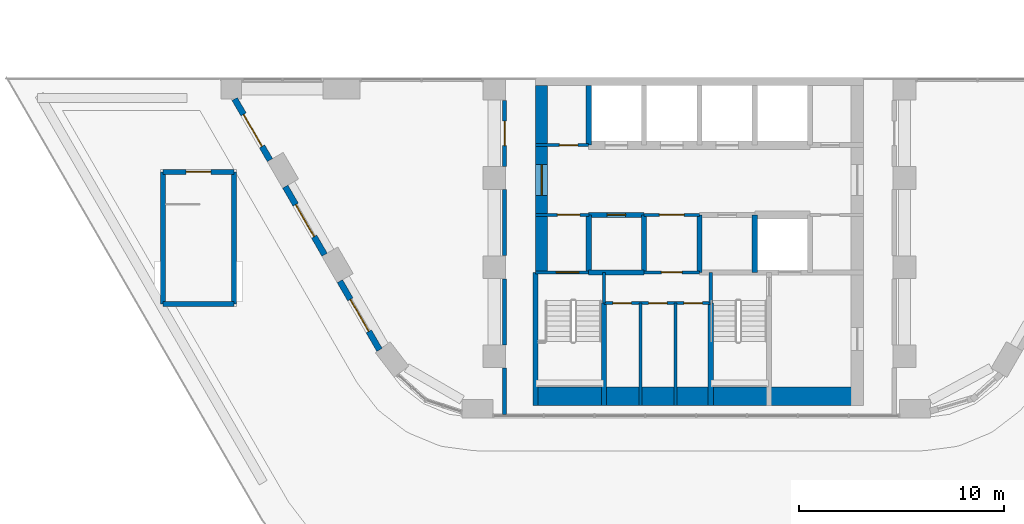
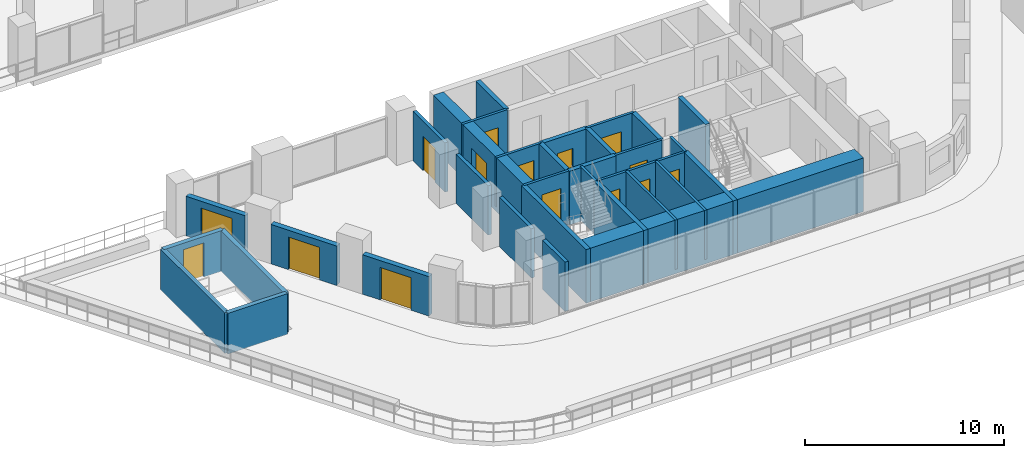
# One storey, part 11 of 24: 33 walls, 15 doors, 15 openings.
"""IFC4 building model written with IfcOpenShell, lengths in metres."""

import ifcopenshell
import ifcopenshell.guid

model = None  # the IFC model being written
_history = None  # IfcOwnerHistory: only IFC2X3 demands one
_inside = {}  # id of a spatial element -> (the spatial element, [elements in it])
_under = {}  # id of a project, library or spatial element -> (it, [spatial elements below it])
_declared = {}  # id of a project -> (the project, [libraries it declares])
_typed = {}  # id of a type object -> (the type object, [elements of that type])
_made_of = {}  # id of a material, layer set ... -> (it, [elements and type objects made of it])


def new_model(schema):
    """Start an empty IFC model of exactly this schema.

    Asked for "IFC4X3", IfcOpenShell would pick the latest addendum, in which some entities
    have other attributes; the version numbers below select the first issue.
    IFC2X3 requires an IfcOwnerHistory on every rooted entity: one is made here for all.
    """
    global model, _history
    if schema == "IFC4X3":
        model = ifcopenshell.file(schema_version=(4, 3, 0, 0))
    else:
        model = ifcopenshell.file(schema=schema)
    _inside.clear()
    _under.clear()
    _declared.clear()
    _typed.clear()
    _made_of.clear()
    _history = None
    if model.schema == "IFC2X3":
        org = make("IfcOrganization", Name="unknown")
        user = make(
            "IfcPersonAndOrganization",
            ThePerson=make("IfcPerson", FamilyName="unknown"),
            TheOrganization=org,
        )
        app = make(
            "IfcApplication",
            ApplicationDeveloper=org,
            Version="unknown",
            ApplicationFullName="unknown",
            ApplicationIdentifier="unknown",
        )
        _history = make(
            "IfcOwnerHistory",
            OwningUser=user,
            OwningApplication=app,
            ChangeAction="ADDED",
            CreationDate=0,
        )
    return model


def make(cls, **values):
    """One entity of the class cls with the attributes given. An attribute that is None is left unset."""
    return model.create_entity(
        cls, **{name: value for name, value in values.items() if value is not None}
    )


def rooted(cls, **values):
    """An entity with a GlobalId (a new one), such as an element, a storey or a relation."""
    return make(cls, GlobalId=ifcopenshell.guid.new(), OwnerHistory=_history, **values)


def si_unit(unit_type, name, prefix=None):
    """IfcSIUnit, for example si_unit("LENGTHUNIT", "METRE", prefix="MILLI")."""
    return make("IfcSIUnit", UnitType=unit_type, Prefix=prefix, Name=name)


def assignment(units):
    """IfcUnitAssignment: the units of a project."""
    return None if units is None else make("IfcUnitAssignment", Units=units)


def point(xyz):
    """IfcCartesianPoint."""
    return None if xyz is None else make("IfcCartesianPoint", Coordinates=xyz)


def direction(xyz):
    """IfcDirection."""
    return None if xyz is None else make("IfcDirection", DirectionRatios=xyz)


def frame(location, z_axis=None, x_axis=None):
    """IfcAxis2Placement3D, a coordinate frame: its origin and axes. An axis left out is left unset."""
    return make(
        "IfcAxis2Placement3D",
        Location=point(location),
        Axis=direction(z_axis),
        RefDirection=direction(x_axis),
    )


def frame_2d(location, x_axis=None):
    """IfcAxis2Placement2D, a coordinate frame in the plane: its origin and x axis."""
    return make(
        "IfcAxis2Placement2D", Location=point(location), RefDirection=direction(x_axis)
    )


def origin():
    """The frame at (0, 0, 0) with its axes left unset."""
    return frame((0.0, 0.0, 0.0))


def place(relative_to, where):
    """IfcLocalPlacement: puts the frame where relative to a parent placement (None: the world)."""
    return make(
        "IfcLocalPlacement", PlacementRelTo=relative_to, RelativePlacement=where
    )


def context(
    kind, dimensions, precision=None, world=None, true_north=None, identifier=None
):
    """IfcGeometricRepresentationContext, for example the 3D "Model" context."""
    return make(
        "IfcGeometricRepresentationContext",
        ContextIdentifier=identifier,
        ContextType=kind,
        CoordinateSpaceDimension=dimensions,
        Precision=precision,
        WorldCoordinateSystem=world,
        TrueNorth=true_north,
    )


def subcontext(parent, identifier, kind, view, scale=None):
    """IfcGeometricRepresentationSubContext, for example "Body" below "Model"."""
    return make(
        "IfcGeometricRepresentationSubContext",
        ContextIdentifier=identifier,
        ContextType=kind,
        ParentContext=parent,
        TargetScale=scale,
        TargetView=view,
    )


def project(units=None, contexts=None):
    """IfcProject with its units and contexts."""
    return rooted(
        "IfcProject",
        Name="project",
        RepresentationContexts=contexts,
        UnitsInContext=assignment(units),
    )


def spatial(cls, under=None, at=None, **own):
    """A site, building, storey or space (cls), placed at a placement, below another one or the project."""
    s = rooted(cls, ObjectPlacement=at, **own)
    if under is not None:
        _under.setdefault(under.id(), (under, []))[1].append(s)
    return s


def profile(cls, at=None, kind="AREA", **sizes):
    """A parametric profile (cls). Its sizes go by their IFC names, for example OverallWidth=200.0."""
    return make(cls, ProfileType=kind, Position=at, **sizes)


def rectangle(**sizes):
    """IfcRectangleProfileDef."""
    return profile("IfcRectangleProfileDef", **sizes)


def extrude(swept, where, along, depth):
    """IfcExtrudedAreaSolid: the profile swept, set in the frame where, extruded along a direction by depth."""
    return make(
        "IfcExtrudedAreaSolid",
        SweptArea=swept,
        Position=where,
        ExtrudedDirection=direction(along),
        Depth=depth,
    )


def shape(context_of_items, identifier, shape_type, items):
    """IfcShapeRepresentation: the items that make up one representation, for example the "Body"."""
    return make(
        "IfcShapeRepresentation",
        ContextOfItems=context_of_items,
        RepresentationIdentifier=identifier,
        RepresentationType=shape_type,
        Items=items,
    )


def material(Name=None, Category=None):
    """IfcMaterial."""
    return make("IfcMaterial", Name=Name, Category=Category)


def layer(
    of_material, thickness, ventilated=None, Name=None, Category=None, Priority=None
):
    """IfcMaterialLayer: one layer of a wall or slab, of a material (None: an air gap)."""
    return make(
        "IfcMaterialLayer",
        Material=of_material,
        LayerThickness=thickness,
        IsVentilated=ventilated,
        Name=Name,
        Category=Category,
        Priority=Priority,
    )


def layer_set(layers, Name=None):
    """IfcMaterialLayerSet."""
    return make("IfcMaterialLayerSet", MaterialLayers=layers, LayerSetName=Name)


def made_of(thing, what):
    """Note that an element or type object is made of a material, layer set ...; save() writes the relation."""
    if what is not None:
        _made_of.setdefault(what.id(), (what, []))[1].append(thing)
    return thing


def type_object(cls, material=None, **own):
    """A type object (cls), such as IfcWallType, which elements share."""
    return made_of(rooted(cls, **own), material)


def element(
    cls,
    number,
    at=None,
    inside=None,
    cuts=None,
    type_object=None,
    material=None,
    context=None,
    identifier="Body",
    shape_type=None,
    held_by="IfcProductDefinitionShape",
    body=None,
    shapes=None,
    **own,
):
    """One element of the class cls, such as IfcWall. Its Tag is "e" and its number.

    at: its placement. inside: the storey or other place that contains it. cuts: it is an
    opening in that element (IfcRelVoidsElement). A single representation is given by context,
    identifier, shape_type and body (its items); several are given by shapes. held_by: the class
    of the entity that holds the representations. save() writes the other relations.
    """
    e = rooted(cls, Tag="e%d" % number, ObjectPlacement=at, **own)
    if body is not None:
        shapes = [shape(context, identifier, shape_type, body)]
    if shapes is not None:
        e.Representation = make(held_by, Representations=shapes)
    if inside is not None:
        _inside.setdefault(inside.id(), (inside, []))[1].append(e)
    if cuts is not None:
        rooted(
            "IfcRelVoidsElement", RelatingBuildingElement=cuts, RelatedOpeningElement=e
        )
    if type_object is not None:
        _typed.setdefault(type_object.id(), (type_object, []))[1].append(e)
    return made_of(e, material)


def fill(opening, filler):
    """IfcRelFillsElement: the door or window that sits in an opening."""
    return rooted(
        "IfcRelFillsElement",
        RelatingOpeningElement=opening,
        RelatedBuildingElement=filler,
    )


def aggregate(whole, parts):
    """IfcRelAggregates: a whole, such as a stair, and the parts it consists of."""
    return rooted("IfcRelAggregates", RelatingObject=whole, RelatedObjects=parts)


def save(model, path):
    """Write the relations noted so far, then the file.

    IfcRelAggregates (storeys below a building ...), IfcRelContainedInSpatialStructure (elements
    in a storey), IfcRelDefinesByType, IfcRelAssociatesMaterial and IfcRelDeclares: one each for
    every whole, place, type object, material and project.
    """
    for whole, parts in _under.values():
        aggregate(whole, parts)
    for where, things in _inside.values():
        rooted(
            "IfcRelContainedInSpatialStructure",
            RelatedElements=things,
            RelatingStructure=where,
        )
    for kind, things in _typed.values():
        rooted("IfcRelDefinesByType", RelatedObjects=things, RelatingType=kind)
    for what, things in _made_of.values():
        rooted("IfcRelAssociatesMaterial", RelatedObjects=things, RelatingMaterial=what)
    for by, libraries in _declared.values():
        rooted("IfcRelDeclares", RelatingContext=by, RelatedDefinitions=libraries)
    model.write(path)


model = new_model("IFC4")

# Units and contexts
model_context = context("Model", 3, precision=1e-05, world=origin(), true_north=direction((0.0, 1.0)))
body_context = subcontext(model_context, "Body", "Model", "MODEL_VIEW")
ifc_project = project(units=[si_unit("LENGTHUNIT", "METRE"), si_unit("AREAUNIT", "SQUARE_METRE"), si_unit("VOLUMEUNIT", "CUBIC_METRE"), si_unit("PLANEANGLEUNIT", "RADIAN"), si_unit("MASSUNIT", "GRAM", prefix="KILO")], contexts=[model_context])

# Site, building, storey
site_placement = place(None, origin())
site = spatial("IfcSite", under=ifc_project, at=site_placement, CompositionType="ELEMENT")
building_placement = place(site_placement, origin())
building = spatial("IfcBuilding", under=site, at=building_placement, Name="Nakaniwa Court", CompositionType="ELEMENT")
storey_placement = place(building_placement, frame((0.0, 0.0, 28.199951171875)))
storey = spatial("IfcBuildingStorey", under=building, at=storey_placement, Name="L06", CompositionType="ELEMENT", Elevation=28.199951171875)

# Walls
ifc_material_1 = material(Name="Acoustic double stud partition")
ifc_layer_1 = layer(ifc_material_1, 0.199951171875)
ifc_layer_set_1 = layer_set([ifc_layer_1], Name="Acoustic double stud partition")
wall_type_1 = type_object("IfcWallType", Name="Acoustic double stud partition 200", PredefinedType="PARTITIONING", material=ifc_layer_set_1)
wall_1_placement = place(storey_placement, frame((70.5, 56.179931640625, 0.0), z_axis=(0.0, 0.0, 1.0), x_axis=(0.0, 1.0, 0.0)))
element("IfcWall", 1, at=wall_1_placement, inside=storey, type_object=wall_type_1, Name="Partition PW-077", PredefinedType="PARTITIONING", context=body_context, shape_type="SweptSolid", body=[
    extrude(rectangle(XDim=2.253173828125, YDim=0.199951171875, at=frame_2d((1.12646484375, 0.0))), origin(), (0.0, 0.0, 1.0), 3.025146484375),
])
for number, where, z_axis, x_axis, name in (
    (2, (70.5, 59.56689453125, 0.0), (0.0, 0.0, 1.0), (0.0, 1.0, 0.0), "Partition PW-078"),
    (3, (70.5, 63.9169921875, 0.0), (0.0, 0.0, 1.0), (0.0, 1.0, 0.0), "Partition PW-079"),
):
    element("IfcWall", number, at=place(storey_placement, frame(where, z_axis=z_axis, x_axis=x_axis)), inside=storey, type_object=wall_type_1, Name=name, PredefinedType="PARTITIONING", context=body_context, shape_type="SweptSolid", body=[
        extrude(rectangle(XDim=3.216064453125, YDim=0.199951171875, at=frame_2d((1.60791015625, 0.0))), origin(), (0.0, 0.0, 1.0), 3.025146484375),
    ])

# Wall, opening, door
wall_2_placement = place(storey_placement, frame((70.5, 68.26708984375, 0.0), z_axis=(0.0, 0.0, 1.0), x_axis=(0.0, 1.0, 0.0)))
wall_2 = element("IfcWall", 4, at=wall_2_placement, inside=storey, type_object=wall_type_1, Name="Partition PW-080", PredefinedType="PARTITIONING", context=body_context, shape_type="SweptSolid", body=[
    extrude(rectangle(XDim=3.2158203125, YDim=0.199951171875, at=frame_2d((1.60791015625, 0.0))), origin(), (0.0, 0.0, 1.0), 3.025146484375),
])
opening_1_placement = place(wall_2_placement, frame((1.008056640625, 0.0, 0.0)))
opening_1 = element("IfcOpeningElement", 5, at=opening_1_placement, cuts=wall_2, Name="Opening D-30-03", PredefinedType="OPENING", context=body_context, shape_type="SweptSolid", body=[
    extrude(rectangle(XDim=1.199951171875, YDim=2.10009765625, at=frame_2d((0.60009765625, 1.050048828125))), frame((0.0, 0.10986328125, 0.0), z_axis=(0.0, -1.0, 0.0), x_axis=(1.0, 0.0, 0.0)), (0.0, 0.0, 1.0), 0.219970703125),
])
ifc_material_2 = material(Name="Solid core timber door set, black veneer", Category="wood")
door_type_1 = type_object("IfcDoorType", Name="Internal door 1200", OperationType="NOTDEFINED", PredefinedType="DOOR", material=ifc_material_2)
door_1_placement = place(opening_1_placement, origin())
door_1 = element("IfcDoor", 6, at=door_1_placement, inside=storey, type_object=door_type_1, Name="Door D-30-03 L06-029", OperationType="SINGLE_SWING_RIGHT", OverallHeight=2.10009765625, OverallWidth=1.199951171875, PredefinedType="DOOR", context=body_context, shape_type="SweptSolid", body=[
    extrude(rectangle(XDim=1.199951171875, YDim=2.10009765625, at=frame_2d((0.60009765625, 1.050048828125))), frame((0.0, 0.02490234375, 0.0), z_axis=(0.0, -1.0, 0.0), x_axis=(1.0, 0.0, 0.0)), (0.0, 0.0, 1.0), 0.050048828125),
])
fill(opening_1, door_1)

ifc_material_3 = material(Name="Charcoal ceramic cladding")
ifc_layer_2 = layer(ifc_material_3, 0.02, Name="Ceramic cladding")
ifc_material_4 = material(Name="Ventilated air cavity")
ifc_layer_3 = layer(ifc_material_4, 0.04, ventilated=True, Name="Ventilated cavity")
ifc_material_5 = material(Name="Mineral wool insulation")
ifc_layer_4 = layer(ifc_material_5, 0.1, Name="Insulation")
ifc_material_6 = material(Name="Cement bonded sheathing board")
ifc_layer_5 = layer(ifc_material_6, 0.012, Name="Sheathing")
ifc_material_7 = material(Name="Cold-formed galvanised stud frame with mineral wool infill")
ifc_layer_6 = layer(ifc_material_7, 0.1, Name="Stud frame")
ifc_material_8 = material(Name="Fire-rated gypsum plasterboard lining")
ifc_layer_7 = layer(ifc_material_8, 0.028, Name="Lining")
ifc_layer_set_2 = layer_set([ifc_layer_2, ifc_layer_3, ifc_layer_4, ifc_layer_5, ifc_layer_6, ifc_layer_7], Name="Charcoal ceramic faced external wall system")
wall_type_2 = type_object("IfcWallType", Name="Black ceramic faced external wall 300", PredefinedType="SOLIDWALL", material=ifc_layer_set_2)
wall_3_placement = place(storey_placement, frame((57.3369140625, 71.553466796875, 0.0), z_axis=(0.0, 0.0, 1.0), x_axis=(0.500035437112, -0.866004943191, 0.0)))
wall_3 = element("IfcWall", 7, at=wall_3_placement, inside=storey, type_object=wall_type_2, Name="L06 deck wall 06", PredefinedType="SOLIDWALL", context=body_context, shape_type="SweptSolid", body=[
    extrude(rectangle(XDim=3.443603515625, YDim=0.300048828125, at=frame_2d((1.7216796875, 0.0))), origin(), (0.0, 0.0, 1.0), 2.425048828125),
])
opening_2_placement = place(wall_3_placement, frame((0.872314453125, 0.0, 0.0)))
opening_2 = element("IfcOpeningElement", 8, at=opening_2_placement, cuts=wall_3, Name="Opening XD9.03", PredefinedType="OPENING", context=body_context, shape_type="SweptSolid", body=[
    extrude(rectangle(XDim=1.800048828125, YDim=2.0, at=frame_2d((0.89990234375, 1.0))), frame((0.0, 0.159912109375, 0.0), z_axis=(0.0, -1.0, 0.0), x_axis=(1.0, 0.0, 0.0)), (0.0, 0.0, 1.0), 0.320068359375),
])
ifc_material_9 = material(Name="Black powder-coated aluminium frame with dark laminated glass", Category="aluminium")
door_type_2 = type_object("IfcDoorType", Name="Deck double door 1800x2000", OperationType="DOUBLE_DOOR_SINGLE_SWING", PredefinedType="DOOR", material=ifc_material_9)
door_2_placement = place(opening_2_placement, frame((1.800048828125, 0.0, 0.0), z_axis=(0.0, 0.0, 1.0), x_axis=(-1.0, 0.0, 0.0)))
door_2 = element("IfcDoor", 9, at=door_2_placement, inside=storey, type_object=door_type_2, Name="L06 deck double door 06", OperationType="DOUBLE_DOOR_SINGLE_SWING", OverallHeight=2.0, OverallWidth=1.800048828125, PredefinedType="DOOR", context=body_context, shape_type="SweptSolid", body=[
    extrude(rectangle(XDim=1.800048828125, YDim=2.0, at=frame_2d((0.89990234375, 1.0))), frame((0.0, 0.02490234375, 0.0), z_axis=(0.0, -1.0, 0.0), x_axis=(1.0, 0.0, 0.0)), (0.0, 0.0, 1.0), 0.050048828125),
])
fill(opening_2, door_2)

wall_4_placement = place(storey_placement, frame((59.8046875, 67.279296875, 0.0), z_axis=(0.0, 0.0, 1.0), x_axis=(0.500001735503, -0.866024401789, 0.0)))
wall_4 = element("IfcWall", 10, at=wall_4_placement, inside=storey, type_object=wall_type_2, Name="L06 deck wall 07", PredefinedType="SOLIDWALL", context=body_context, shape_type="SweptSolid", body=[
    extrude(rectangle(XDim=3.833984375, YDim=0.300048828125, at=frame_2d((1.9169921875, 0.0))), origin(), (0.0, 0.0, 1.0), 2.425048828125),
])
opening_3_placement = place(wall_4_placement, frame((1.01708984375, 0.0, 0.0)))
opening_3 = element("IfcOpeningElement", 11, at=opening_3_placement, cuts=wall_4, Name="Opening XD9.04", PredefinedType="OPENING", context=body_context, shape_type="SweptSolid", body=[
    extrude(rectangle(XDim=1.800048828125, YDim=2.0, at=frame_2d((0.89990234375, 1.0))), frame((0.0, 0.159912109375, 0.0), z_axis=(0.0, -1.0, 0.0), x_axis=(1.0, 0.0, 0.0)), (0.0, 0.0, 1.0), 0.320068359375),
])
door_3_placement = place(opening_3_placement, frame((1.800048828125, 0.0, 0.0), z_axis=(0.0, 0.0, 1.0), x_axis=(-1.0, 0.0, 0.0)))
door_3 = element("IfcDoor", 12, at=door_3_placement, inside=storey, type_object=door_type_2, Name="L06 deck double door 07", OperationType="DOUBLE_DOOR_SINGLE_SWING", OverallHeight=2.0, OverallWidth=1.800048828125, PredefinedType="DOOR", context=body_context, shape_type="SweptSolid", body=[
    extrude(rectangle(XDim=1.800048828125, YDim=2.0, at=frame_2d((0.89990234375, 1.0))), frame((0.0, 0.02490234375, 0.0), z_axis=(0.0, -1.0, 0.0), x_axis=(1.0, 0.0, 0.0)), (0.0, 0.0, 1.0), 0.050048828125),
])
fill(opening_3, door_3)

wall_5_placement = place(storey_placement, frame((62.4677734375, 62.6669921875, 0.0), z_axis=(0.0, 0.0, 1.0), x_axis=(0.499948341072, -0.866055227026, 0.0)))
wall_5 = element("IfcWall", 13, at=wall_5_placement, inside=storey, type_object=wall_type_2, Name="L06 deck wall 08", PredefinedType="SOLIDWALL", context=body_context, shape_type="SweptSolid", body=[
    extrude(rectangle(XDim=3.8671875, YDim=0.300048828125, at=frame_2d((1.93359375, 0.0))), origin(), (0.0, 0.0, 1.0), 2.425048828125),
])
opening_4_placement = place(wall_5_placement, frame((1.022216796875, 0.0, 0.0)))
opening_4 = element("IfcOpeningElement", 14, at=opening_4_placement, cuts=wall_5, Name="Opening XD9.05", PredefinedType="OPENING", context=body_context, shape_type="SweptSolid", body=[
    extrude(rectangle(XDim=1.800048828125, YDim=2.0, at=frame_2d((0.89990234375, 1.0))), frame((0.0, 0.159912109375, 0.0), z_axis=(0.0, -1.0, 0.0), x_axis=(1.0, 0.0, 0.0)), (0.0, 0.0, 1.0), 0.320068359375),
])
door_4_placement = place(opening_4_placement, frame((1.800048828125, 0.0, 0.0), z_axis=(0.0, 0.0, 1.0), x_axis=(-1.0, 0.0, 0.0)))
door_4 = element("IfcDoor", 15, at=door_4_placement, inside=storey, type_object=door_type_2, Name="L06 deck double door 08", OperationType="DOUBLE_DOOR_SINGLE_SWING", OverallHeight=2.0, OverallWidth=1.800048828125, PredefinedType="DOOR", context=body_context, shape_type="SweptSolid", body=[
    extrude(rectangle(XDim=1.800048828125, YDim=2.0, at=frame_2d((0.89990234375, 1.0))), frame((0.0, 0.02490234375, 0.0), z_axis=(0.0, -1.0, 0.0), x_axis=(1.0, 0.0, 0.0)), (0.0, 0.0, 1.0), 0.050048828125),
])
fill(opening_4, door_4)

ifc_material_10 = material(Name="Blockwork partition", Category="masonry")
ifc_layer_8 = layer(ifc_material_10, 0.14990234375)
ifc_layer_set_3 = layer_set([ifc_layer_8], Name="Blockwork partition")
wall_type_3 = type_object("IfcWallType", Name="Blockwork partition 150", PredefinedType="PARTITIONING", material=ifc_layer_set_3)
wall_6_placement = place(storey_placement, frame((72.0, 69.300048828125, 0.0), z_axis=(0.0, 0.0, 1.0), x_axis=(1.0, 0.0, 0.0)))
wall_6 = element("IfcWall", 16, at=wall_6_placement, inside=storey, type_object=wall_type_3, Name="Partition PW-037", PredefinedType="PARTITIONING", context=body_context, shape_type="SweptSolid", body=[
    extrude(rectangle(XDim=2.60009765625, YDim=0.14990234375, at=frame_2d((1.300048828125, 0.0))), origin(), (0.0, 0.0, 1.0), 3.025146484375),
])
opening_5_placement = place(wall_6_placement, frame((1.175048828125, 0.0, 0.0)))
opening_5 = element("IfcOpeningElement", 17, at=opening_5_placement, cuts=wall_6, Name="Opening D-05-09", PredefinedType="OPENING", context=body_context, shape_type="SweptSolid", body=[
    extrude(rectangle(XDim=0.89990234375, YDim=2.10009765625, at=frame_2d((0.449951171875, 1.050048828125))), frame((0.0, 0.0849609375, 0.0), z_axis=(0.0, -1.0, 0.0), x_axis=(1.0, 0.0, 0.0)), (0.0, 0.0, 1.0), 0.169921875),
])
ifc_material_11 = material(Name="Fire rated steel door set", Category="steel")
door_type_3 = type_object("IfcDoorType", Name="Service room door 900", OperationType="NOTDEFINED", PredefinedType="DOOR", material=ifc_material_11)
door_5_placement = place(opening_5_placement, origin())
door_5 = element("IfcDoor", 18, at=door_5_placement, inside=storey, type_object=door_type_3, Name="Door D-05-09 L06-014", OperationType="SINGLE_SWING_LEFT", OverallHeight=2.10009765625, OverallWidth=0.89990234375, PredefinedType="DOOR", context=body_context, shape_type="SweptSolid", body=[
    extrude(rectangle(XDim=0.89990234375, YDim=2.10009765625, at=frame_2d((0.449951171875, 1.050048828125))), frame((0.0, 0.02490234375, 0.0), z_axis=(0.0, -1.0, 0.0), x_axis=(1.0, 0.0, 0.0)), (0.0, 0.0, 1.0), 0.050048828125),
])
fill(opening_5, door_5)

wall_7_placement = place(storey_placement, frame((74.60302734375, 65.89990234375, 0.0), z_axis=(0.0, 0.0, 1.0), x_axis=(-1.0, 0.0, 0.0)))
wall_7 = element("IfcWall", 19, at=wall_7_placement, inside=storey, type_object=wall_type_3, Name="Partition PW-050", PredefinedType="PARTITIONING", context=body_context, shape_type="SweptSolid", body=[
    extrude(rectangle(XDim=2.60302734375, YDim=0.14990234375, at=frame_2d((1.301513671875, 0.0))), origin(), (0.0, 0.0, 1.0), 3.025146484375),
])
opening_6_placement = place(wall_7_placement, frame((0.427978515625, 0.0, 0.0)))
opening_6 = element("IfcOpeningElement", 20, at=opening_6_placement, cuts=wall_7, Name="Opening D-08-02", PredefinedType="OPENING", context=body_context, shape_type="SweptSolid", body=[
    extrude(rectangle(XDim=1.10009765625, YDim=2.10009765625, at=frame_2d((0.550048828125, 1.050048828125))), frame((0.0, 0.0849609375, 0.0), z_axis=(0.0, -1.0, 0.0), x_axis=(1.0, 0.0, 0.0)), (0.0, 0.0, 1.0), 0.169921875),
])
door_type_4 = type_object("IfcDoorType", Name="Stair lobby door 1100", OperationType="NOTDEFINED", PredefinedType="DOOR", material=ifc_material_11)
door_6_placement = place(opening_6_placement, origin())
door_6 = element("IfcDoor", 21, at=door_6_placement, inside=storey, type_object=door_type_4, Name="Door D-08-02 L06-016", OperationType="SINGLE_SWING_LEFT", OverallHeight=2.10009765625, OverallWidth=1.10009765625, PredefinedType="DOOR", context=body_context, shape_type="SweptSolid", body=[
    extrude(rectangle(XDim=1.10009765625, YDim=2.10009765625, at=frame_2d((0.550048828125, 1.050048828125))), frame((0.0, 0.02490234375, 0.0), z_axis=(0.0, -1.0, 0.0), x_axis=(1.0, 0.0, 0.0)), (0.0, 0.0, 1.0), 0.050048828125),
])
fill(opening_6, door_6)

wall_8_placement = place(storey_placement, frame((80.0029296875, 65.89990234375, 0.0), z_axis=(0.0, 0.0, 1.0), x_axis=(-1.0, 0.0, 0.0)))
wall_8 = element("IfcWall", 22, at=wall_8_placement, inside=storey, type_object=wall_type_3, Name="Partition PW-051", PredefinedType="PARTITIONING", context=body_context, shape_type="SweptSolid", body=[
    extrude(rectangle(XDim=2.705810546875, YDim=0.14990234375, at=frame_2d((1.35302734375, 0.0))), origin(), (0.0, 0.0, 1.0), 3.025146484375),
])
opening_7_placement = place(wall_8_placement, frame((0.7529296875, 0.0, 0.0)))
opening_7 = element("IfcOpeningElement", 23, at=opening_7_placement, cuts=wall_8, Name="Opening D-06-02", PredefinedType="OPENING", context=body_context, shape_type="SweptSolid", body=[
    extrude(rectangle(XDim=1.199951171875, YDim=2.10009765625, at=frame_2d((0.60009765625, 1.050048828125))), frame((0.0, 0.0849609375, 0.0), z_axis=(0.0, -1.0, 0.0), x_axis=(1.0, 0.0, 0.0)), (0.0, 0.0, 1.0), 0.169921875),
])
ifc_material_12 = material(Name="Fire rated steel double door set", Category="steel")
door_type_5 = type_object("IfcDoorType", Name="Service passage double door 1200", OperationType="NOTDEFINED", PredefinedType="DOOR", material=ifc_material_12)
door_7_placement = place(opening_7_placement, origin())
door_7 = element("IfcDoor", 24, at=door_7_placement, inside=storey, type_object=door_type_5, Name="Door D-06-02 L06-018", OperationType="DOUBLE_DOOR_SINGLE_SWING", OverallHeight=2.10009765625, OverallWidth=1.199951171875, PredefinedType="DOOR", context=body_context, shape_type="SweptSolid", body=[
    extrude(rectangle(XDim=1.199951171875, YDim=2.10009765625, at=frame_2d((0.60009765625, 1.050048828125))), frame((0.0, 0.02490234375, 0.0), z_axis=(0.0, -1.0, 0.0), x_axis=(1.0, 0.0, 0.0)), (0.0, 0.0, 1.0), 0.050048828125),
])
fill(opening_7, door_7)

wall_9_placement = place(storey_placement, frame((80.0, 63.10009765625, 0.0), z_axis=(0.0, 0.0, 1.0), x_axis=(-1.0, 0.0, 0.0)))
wall_9 = element("IfcWall", 25, at=wall_9_placement, inside=storey, type_object=wall_type_3, Name="Partition PW-059", PredefinedType="PARTITIONING", context=body_context, shape_type="SweptSolid", body=[
    extrude(rectangle(XDim=2.699951171875, YDim=0.14990234375, at=frame_2d((1.35009765625, 0.0))), origin(), (0.0, 0.0, 1.0), 3.025146484375),
])
opening_8_placement = place(wall_9_placement, frame((0.85009765625, 0.0, 0.0)))
opening_8 = element("IfcOpeningElement", 26, at=opening_8_placement, cuts=wall_9, Name="Opening D-23-02", PredefinedType="OPENING", context=body_context, shape_type="SweptSolid", body=[
    extrude(rectangle(XDim=1.0, YDim=2.10009765625, at=frame_2d((0.5, 1.050048828125))), frame((0.0, 0.0849609375, 0.0), z_axis=(0.0, -1.0, 0.0), x_axis=(1.0, 0.0, 0.0)), (0.0, 0.0, 1.0), 0.169921875),
])
door_type_6 = type_object("IfcDoorType", Name="Service room door 1000", OperationType="NOTDEFINED", PredefinedType="DOOR", material=ifc_material_11)
door_8_placement = place(opening_8_placement, origin())
door_8 = element("IfcDoor", 27, at=door_8_placement, inside=storey, type_object=door_type_6, Name="Door D-23-02 L06-021", OperationType="SINGLE_SWING_RIGHT", OverallHeight=2.10009765625, OverallWidth=1.0, PredefinedType="DOOR", context=body_context, shape_type="SweptSolid", body=[
    extrude(rectangle(XDim=1.0, YDim=2.10009765625, at=frame_2d((0.5, 1.050048828125))), frame((0.0, 0.02490234375, 0.0), z_axis=(0.0, -1.0, 0.0), x_axis=(1.0, 0.0, 0.0)), (0.0, 0.0, 1.0), 0.050048828125),
])
fill(opening_8, door_8)

# Wall, openings, doors
wall_10_placement = place(storey_placement, frame((80.550048828125, 61.60009765625, 0.0), z_axis=(0.0, 0.0, 1.0), x_axis=(-1.0, 0.0, 0.0)))
wall_10 = element("IfcWall", 28, at=wall_10_placement, inside=storey, type_object=wall_type_3, Name="Partition PW-066", PredefinedType="PARTITIONING", context=body_context, shape_type="SweptSolid", body=[
    extrude(rectangle(XDim=5.199951171875, YDim=0.14990234375, at=frame_2d((2.60009765625, 0.0))), origin(), (0.0, 0.0, 1.0), 3.025146484375),
])
opening_9_placement = place(wall_10_placement, frame((3.865966796875, 0.0, 0.0)))
opening_9 = element("IfcOpeningElement", 29, at=opening_9_placement, cuts=wall_10, Name="Opening D-05-14", PredefinedType="OPENING", context=body_context, shape_type="SweptSolid", body=[
    extrude(rectangle(XDim=0.89990234375, YDim=2.10009765625, at=frame_2d((0.449951171875, 1.050048828125))), frame((0.0, 0.0849609375, 0.0), z_axis=(0.0, -1.0, 0.0), x_axis=(1.0, 0.0, 0.0)), (0.0, 0.0, 1.0), 0.169921875),
])
opening_10_placement = place(wall_10_placement, frame((2.1240234375, 0.0, 0.0)))
opening_10 = element("IfcOpeningElement", 30, at=opening_10_placement, cuts=wall_10, Name="Opening D-05-15", PredefinedType="OPENING", context=body_context, shape_type="SweptSolid", body=[
    extrude(rectangle(XDim=0.89990234375, YDim=2.10009765625, at=frame_2d((0.449951171875, 1.050048828125))), frame((0.0, 0.0849609375, 0.0), z_axis=(0.0, -1.0, 0.0), x_axis=(1.0, 0.0, 0.0)), (0.0, 0.0, 1.0), 0.169921875),
])
opening_11_placement = place(wall_10_placement, frame((0.407958984375, 0.0, 0.0)))
opening_11 = element("IfcOpeningElement", 31, at=opening_11_placement, cuts=wall_10, Name="Opening D-05-16", PredefinedType="OPENING", context=body_context, shape_type="SweptSolid", body=[
    extrude(rectangle(XDim=0.89990234375, YDim=2.10009765625, at=frame_2d((0.449951171875, 1.050048828125))), frame((0.0, 0.0849609375, 0.0), z_axis=(0.0, -1.0, 0.0), x_axis=(1.0, 0.0, 0.0)), (0.0, 0.0, 1.0), 0.169921875),
])
door_9_placement = place(opening_9_placement, origin())
door_9 = element("IfcDoor", 32, at=door_9_placement, inside=storey, type_object=door_type_3, Name="Door D-05-14 L06-022", OperationType="SINGLE_SWING_LEFT", OverallHeight=2.10009765625, OverallWidth=0.89990234375, PredefinedType="DOOR", context=body_context, shape_type="SweptSolid", body=[
    extrude(rectangle(XDim=0.89990234375, YDim=2.10009765625, at=frame_2d((0.449951171875, 1.050048828125))), frame((0.0, 0.02490234375, 0.0), z_axis=(0.0, -1.0, 0.0), x_axis=(1.0, 0.0, 0.0)), (0.0, 0.0, 1.0), 0.050048828125),
])
fill(opening_9, door_9)
door_10_placement = place(opening_10_placement, origin())
door_10 = element("IfcDoor", 33, at=door_10_placement, inside=storey, type_object=door_type_3, Name="Door D-05-15 L06-023", OperationType="SINGLE_SWING_RIGHT", OverallHeight=2.10009765625, OverallWidth=0.89990234375, PredefinedType="DOOR", context=body_context, shape_type="SweptSolid", body=[
    extrude(rectangle(XDim=0.89990234375, YDim=2.10009765625, at=frame_2d((0.449951171875, 1.050048828125))), frame((0.0, 0.02490234375, 0.0), z_axis=(0.0, -1.0, 0.0), x_axis=(1.0, 0.0, 0.0)), (0.0, 0.0, 1.0), 0.050048828125),
])
fill(opening_10, door_10)
door_11_placement = place(opening_11_placement, origin())
door_11 = element("IfcDoor", 34, at=door_11_placement, inside=storey, type_object=door_type_3, Name="Door D-05-16 L06-024", OperationType="SINGLE_SWING_LEFT", OverallHeight=2.10009765625, OverallWidth=0.89990234375, PredefinedType="DOOR", context=body_context, shape_type="SweptSolid", body=[
    extrude(rectangle(XDim=0.89990234375, YDim=2.10009765625, at=frame_2d((0.449951171875, 1.050048828125))), frame((0.0, 0.02490234375, 0.0), z_axis=(0.0, -1.0, 0.0), x_axis=(1.0, 0.0, 0.0)), (0.0, 0.0, 1.0), 0.050048828125),
])
fill(opening_11, door_11)

# Walls
for number, where, z_axis, x_axis, name in (
    (35, (77.117919921875, 56.60009765625, 0.0), (0.0, 0.0, 1.0), (0.0, 1.0, 0.0), "Partition PW-067"),
    (36, (78.833984375, 56.60009765625, 0.0), (0.0, 0.0, 1.0), (0.0, 1.0, 0.0), "Partition PW-068"),
):
    element("IfcWall", number, at=place(storey_placement, frame(where, z_axis=z_axis, x_axis=x_axis)), inside=storey, type_object=wall_type_3, Name=name, PredefinedType="PARTITIONING", context=body_context, shape_type="SweptSolid", body=[
        extrude(rectangle(XDim=5.0, YDim=0.14990234375, at=frame_2d((2.5, 0.0))), origin(), (0.0, 0.0, 1.0), 3.025146484375),
    ])

# Wall, opening, door
ifc_material_13 = material(Name="Concrete C100/115", Category="concrete")
ifc_layer_9 = layer(ifc_material_13, 0.60009765625)
ifc_layer_set_4 = layer_set([ifc_layer_9], Name="Concrete C100/115")
wall_type_4 = type_object("IfcWallType", Name="Concrete core side wall 600 C100", PredefinedType="SHEAR", material=ifc_layer_set_4)
wall_11_placement = place(storey_placement, frame((72.300048828125, 63.10009765625, -0.27490234375), z_axis=(0.0, 0.0, 1.0), x_axis=(0.0, 1.0, 0.0)))
wall_11 = element("IfcWall", 37, at=wall_11_placement, inside=storey, type_object=wall_type_4, Name="Core wall SW-38", PredefinedType="SHEAR", context=body_context, shape_type="SweptSolid", body=[
    extrude(rectangle(XDim=9.099853515625, YDim=0.60009765625, at=frame_2d((4.5498046875, 0.0))), origin(), (0.0, 0.0, 1.0), 3.300048828125),
])
opening_12_placement = place(wall_11_placement, frame((3.75, 0.0, 0.27490234375)))
opening_12 = element("IfcOpeningElement", 38, at=opening_12_placement, cuts=wall_11, Name="Opening D-07-04", PredefinedType="OPENING", context=body_context, shape_type="SweptSolid", body=[
    extrude(rectangle(XDim=1.5, YDim=2.10009765625, at=frame_2d((0.75, 1.050048828125))), frame((0.0, 0.31005859375, 0.0), z_axis=(0.0, -1.0, 0.0), x_axis=(1.0, 0.0, 0.0)), (0.0, 0.0, 1.0), 0.6201171875),
])
ifc_material_14 = material(Name="Glazed fire rated steel double door set", Category="steel")
door_type_7 = type_object("IfcDoorType", Name="Lobby double door 1500", OperationType="NOTDEFINED", PredefinedType="DOOR", material=ifc_material_14)
door_12_placement = place(opening_12_placement, origin())
door_12 = element("IfcDoor", 39, at=door_12_placement, inside=storey, type_object=door_type_7, Name="Door D-07-04 L06-035", OperationType="DOUBLE_DOOR_SINGLE_SWING", OverallHeight=2.10009765625, OverallWidth=1.5, PredefinedType="DOOR", context=body_context, shape_type="SweptSolid", body=[
    extrude(rectangle(XDim=1.5, YDim=2.10009765625, at=frame_2d((0.75, 1.050048828125))), frame((0.0, 0.02490234375, 0.0), z_axis=(0.0, -1.0, 0.0), x_axis=(1.0, 0.0, 0.0)), (0.0, 0.0, 1.0), 0.050048828125),
])
fill(opening_12, door_12)

ifc_layer_10 = layer(ifc_material_13, 0.14990234375)
ifc_layer_set_5 = layer_set([ifc_layer_10], Name="Concrete C100/115")
wall_type_5 = type_object("IfcWallType", Name="Concrete core wall 150 C100", PredefinedType="SHEAR", material=ifc_layer_set_5)
wall_12_placement = place(storey_placement, frame((72.0, 63.10009765625, -0.27490234375), z_axis=(0.0, 0.0, 1.0), x_axis=(1.0, 0.0, 0.0)))
wall_12 = element("IfcWall", 40, at=wall_12_placement, inside=storey, type_object=wall_type_5, Name="Core wall SW-56", PredefinedType="SHEAR", context=body_context, shape_type="SweptSolid", body=[
    extrude(rectangle(XDim=2.60009765625, YDim=0.14990234375, at=frame_2d((1.300048828125, 0.0))), origin(), (0.0, 0.0, 1.0), 3.300048828125),
])
opening_13_placement = place(wall_12_placement, frame((1.02001953125, 0.0, 0.27490234375)))
opening_13 = element("IfcOpeningElement", 41, at=opening_13_placement, cuts=wall_12, Name="Opening D-09-02", PredefinedType="OPENING", context=body_context, shape_type="SweptSolid", body=[
    extrude(rectangle(XDim=1.10009765625, YDim=2.10009765625, at=frame_2d((0.550048828125, 1.050048828125))), frame((0.0, 0.0849609375, 0.0), z_axis=(0.0, -1.0, 0.0), x_axis=(1.0, 0.0, 0.0)), (0.0, 0.0, 1.0), 0.169921875),
])
door_type_8 = type_object("IfcDoorType", Name="Stair door 1100", OperationType="NOTDEFINED", PredefinedType="DOOR", material=ifc_material_11)
door_13_placement = place(opening_13_placement, origin())
door_13 = element("IfcDoor", 42, at=door_13_placement, inside=storey, type_object=door_type_8, Name="Door D-09-02 L06-025", OperationType="SINGLE_SWING_LEFT", OverallHeight=2.10009765625, OverallWidth=1.10009765625, PredefinedType="DOOR", context=body_context, shape_type="SweptSolid", body=[
    extrude(rectangle(XDim=1.10009765625, YDim=2.10009765625, at=frame_2d((0.550048828125, 1.050048828125))), frame((0.0, 0.02490234375, 0.0), z_axis=(0.0, -1.0, 0.0), x_axis=(1.0, 0.0, 0.0)), (0.0, 0.0, 1.0), 0.050048828125),
])
fill(opening_13, door_13)

# Walls
for number, where, z_axis, x_axis, name in (
    (43, (75.35009765625, 61.596923828125, -0.27490234375), (0.0, 0.0, 1.0), (0.0, 1.0, 0.0), "Core wall SW-60"),
    (44, (80.550048828125, 61.596923828125, -0.27490234375), (0.0, 0.0, 1.0), (0.0, 1.0, 0.0), "Core wall SW-64"),
):
    element("IfcWall", number, at=place(storey_placement, frame(where, z_axis=z_axis, x_axis=x_axis)), inside=storey, type_object=wall_type_5, Name=name, PredefinedType="SHEAR", context=body_context, shape_type="SweptSolid", body=[
        extrude(rectangle(XDim=1.503173828125, YDim=0.14990234375, at=frame_2d((0.75146484375, 0.0))), origin(), (0.0, 0.0, 1.0), 3.300048828125),
    ])
ifc_layer_11 = layer(ifc_material_13, 0.25)
ifc_layer_set_6 = layer_set([ifc_layer_11], Name="Concrete C100/115")
wall_type_6 = type_object("IfcWallType", Name="Concrete core wall 250 C100", PredefinedType="SHEAR", material=ifc_layer_set_6)
wall_13_placement = place(storey_placement, frame((72.0, 56.60009765625, -0.27490234375), z_axis=(0.0, 0.0, 1.0), x_axis=(0.0, 1.0, 0.0)))
element("IfcWall", 45, at=wall_13_placement, inside=storey, type_object=wall_type_6, Name="Core wall SW-62", PredefinedType="SHEAR", context=body_context, shape_type="SweptSolid", body=[
    extrude(rectangle(XDim=6.5, YDim=0.25, at=frame_2d((3.25, 0.0))), origin(), (0.0, 0.0, 1.0), 3.300048828125),
])
ifc_layer_12 = layer(ifc_material_13, 0.89990234375)
ifc_layer_set_7 = layer_set([ifc_layer_12], Name="Concrete C100/115")
wall_type_7 = type_object("IfcWallType", Name="Concrete core wall 900 C100", PredefinedType="SHEAR", material=ifc_layer_set_7)
wall_14_placement = place(storey_placement, frame((72.00390625, 57.050048828125, -0.27490234375), z_axis=(0.0, 0.0, 1.0), x_axis=(1.0, 0.0, 0.0)))
element("IfcWall", 46, at=wall_14_placement, inside=storey, type_object=wall_type_7, Name="Core wall SW-88", PredefinedType="SHEAR", context=body_context, shape_type="SweptSolid", body=[
    extrude(rectangle(XDim=15.9921875, YDim=0.89990234375, at=frame_2d((7.99609375, 0.0))), origin(), (0.0, 0.0, 1.0), 3.300048828125),
])
ifc_layer_13 = layer(ifc_material_13, 0.25)
ifc_layer_set_8 = layer_set([ifc_layer_13], Name="Concrete C100/115")
wall_type_8 = type_object("IfcWallType", Name="Concrete shaft wall 250 C100", PredefinedType="SHEAR", material=ifc_layer_set_8)
wall_15_placement = place(storey_placement, frame((74.60009765625, 63.10009765625, -0.27490234375), z_axis=(0.0, 0.0, 1.0), x_axis=(0.0, 1.0, 0.0)))
element("IfcWall", 47, at=wall_15_placement, inside=storey, type_object=wall_type_8, Name="Core wall SW-35", PredefinedType="SHEAR", context=body_context, shape_type="SweptSolid", body=[
    extrude(rectangle(XDim=2.7998046875, YDim=0.25, at=frame_2d((1.39990234375, 0.0))), origin(), (0.0, 0.0, 1.0), 3.300048828125),
])
wall_16_placement = place(storey_placement, frame((74.60009765625, 69.300048828125, -0.27490234375), z_axis=(0.0, 0.0, 1.0), x_axis=(0.0, 1.0, 0.0)))
element("IfcWall", 48, at=wall_16_placement, inside=storey, type_object=wall_type_8, Name="Core wall SW-36", PredefinedType="SHEAR", context=body_context, shape_type="SweptSolid", body=[
    extrude(rectangle(XDim=2.89990234375, YDim=0.25, at=frame_2d((1.449951171875, 0.0))), origin(), (0.0, 0.0, 1.0), 3.300048828125),
])
for number, where, z_axis, x_axis, name in (
    (49, (77.300048828125, 63.10009765625, -0.27490234375), (0.0, 0.0, 1.0), (0.0, 1.0, 0.0), "Core wall SW-39"),
    (50, (80.0, 63.10009765625, -0.27490234375), (0.0, 0.0, 1.0), (0.0, 1.0, 0.0), "Core wall SW-42"),
    (51, (82.699951171875, 63.10009765625, -0.27490234375), (0.0, 0.0, 1.0), (0.0, 1.0, 0.0), "Core wall SW-44"),
):
    element("IfcWall", number, at=place(storey_placement, frame(where, z_axis=z_axis, x_axis=x_axis)), inside=storey, type_object=wall_type_8, Name=name, PredefinedType="SHEAR", context=body_context, shape_type="SweptSolid", body=[
        extrude(rectangle(XDim=2.7998046875, YDim=0.25, at=frame_2d((1.39990234375, 0.0))), origin(), (0.0, 0.0, 1.0), 3.300048828125),
    ])

# Wall, opening, door
wall_17_placement = place(storey_placement, frame((77.302978515625, 65.89990234375, -0.27490234375), z_axis=(0.0, 0.0, 1.0), x_axis=(-1.0, 0.0, 0.0)))
wall_17 = element("IfcWall", 52, at=wall_17_placement, inside=storey, type_object=wall_type_8, Name="Core wall SW-53", PredefinedType="SHEAR", context=body_context, shape_type="SweptSolid", body=[
    extrude(rectangle(XDim=2.7060546875, YDim=0.25, at=frame_2d((1.35302734375, 0.0))), origin(), (0.0, 0.0, 1.0), 3.300048828125),
])
opening_14_placement = place(wall_17_placement, frame((0.903076171875, 0.0, 0.27490234375)))
opening_14 = element("IfcOpeningElement", 53, at=opening_14_placement, cuts=wall_17, Name="Opening D-05-11", PredefinedType="OPENING", context=body_context, shape_type="SweptSolid", body=[
    extrude(rectangle(XDim=0.89990234375, YDim=2.10009765625, at=frame_2d((0.449951171875, 1.050048828125))), frame((0.0, 0.135009765625, 0.0), z_axis=(0.0, -1.0, 0.0), x_axis=(1.0, 0.0, 0.0)), (0.0, 0.0, 1.0), 0.27001953125),
])
door_14_placement = place(opening_14_placement, origin())
door_14 = element("IfcDoor", 54, at=door_14_placement, inside=storey, type_object=door_type_3, Name="Door D-05-11 L06-017", OperationType="SINGLE_SWING_RIGHT", OverallHeight=2.10009765625, OverallWidth=0.89990234375, PredefinedType="DOOR", context=body_context, shape_type="SweptSolid", body=[
    extrude(rectangle(XDim=0.89990234375, YDim=2.10009765625, at=frame_2d((0.449951171875, 1.050048828125))), frame((0.0, 0.02490234375, 0.0), z_axis=(0.0, -1.0, 0.0), x_axis=(1.0, 0.0, 0.0)), (0.0, 0.0, 1.0), 0.050048828125),
])
fill(opening_14, door_14)

# Walls
wall_18_placement = place(storey_placement, frame((74.60009765625, 63.10009765625, -0.27490234375), z_axis=(0.0, 0.0, 1.0), x_axis=(1.0, 0.0, 0.0)))
element("IfcWall", 55, at=wall_18_placement, inside=storey, type_object=wall_type_8, Name="Core wall SW-57", PredefinedType="SHEAR", context=body_context, shape_type="SweptSolid", body=[
    extrude(rectangle(XDim=2.699951171875, YDim=0.25, at=frame_2d((1.35009765625, 0.0))), origin(), (0.0, 0.0, 1.0), 3.300048828125),
])
for number, where, z_axis, x_axis, name in (
    (56, (75.35009765625, 56.60009765625, -0.27490234375), (0.0, 0.0, 1.0), (0.0, 1.0, 0.0), "Core wall SW-61"),
    (57, (80.550048828125, 56.60009765625, -0.27490234375), (0.0, 0.0, 1.0), (0.0, 1.0, 0.0), "Core wall SW-65"),
):
    element("IfcWall", number, at=place(storey_placement, frame(where, z_axis=z_axis, x_axis=x_axis)), inside=storey, type_object=wall_type_8, Name=name, PredefinedType="SHEAR", context=body_context, shape_type="SweptSolid", body=[
        extrude(rectangle(XDim=5.0029296875, YDim=0.25, at=frame_2d((2.50146484375, 0.0))), origin(), (0.0, 0.0, 1.0), 3.300048828125),
    ])

# Wall, opening, door
ifc_layer_14 = layer(ifc_material_13, 0.25)
ifc_layer_set_9 = layer_set([ifc_layer_14], Name="Concrete C100/115")
wall_type_9 = type_object("IfcWallType", Name="Concrete shaft wall 250 C100 external", PredefinedType="SHEAR", material=ifc_layer_set_9)
wall_19_placement = place(storey_placement, frame((53.85009765625, 68.0, 0.0), z_axis=(0.0, 0.0, 1.0), x_axis=(1.0, 0.0, 0.0)))
wall_19 = element("IfcWall", 58, at=wall_19_placement, inside=storey, type_object=wall_type_9, Name="Stair head house wall SW-101", PredefinedType="SHEAR", context=body_context, shape_type="SweptSolid", body=[
    extrude(rectangle(XDim=3.449951171875, YDim=0.25, at=frame_2d((1.72509765625, 0.0))), origin(), (0.0, 0.0, 1.0), 2.5),
])
opening_15_placement = place(wall_19_placement, frame((1.125, 0.0, 0.0)))
opening_15 = element("IfcOpeningElement", 59, at=opening_15_placement, cuts=wall_19, Name="Opening D-13-04", PredefinedType="OPENING", context=body_context, shape_type="SweptSolid", body=[
    extrude(rectangle(XDim=1.199951171875, YDim=2.10009765625, at=frame_2d((0.60009765625, 1.050048828125))), frame((0.0, 0.135009765625, 0.0), z_axis=(0.0, -1.0, 0.0), x_axis=(1.0, 0.0, 0.0)), (0.0, 0.0, 1.0), 0.27001953125),
])
door_type_9 = type_object("IfcDoorType", Name="Stair head house door 1200", OperationType="NOTDEFINED", PredefinedType="DOOR", material=ifc_material_12)
door_15_placement = place(opening_15_placement, frame((1.199951171875, 0.0, 0.0), z_axis=(0.0, 0.0, 1.0), x_axis=(-1.0, 0.0, 0.0)))
door_15 = element("IfcDoor", 60, at=door_15_placement, inside=storey, type_object=door_type_9, Name="Door D-13 L06-hh40", OperationType="DOUBLE_DOOR_SINGLE_SWING", OverallHeight=2.10009765625, OverallWidth=1.199951171875, PredefinedType="DOOR", context=body_context, shape_type="SweptSolid", body=[
    extrude(rectangle(XDim=1.199951171875, YDim=2.10009765625, at=frame_2d((0.60009765625, 1.050048828125))), frame((0.0, 0.02490234375, 0.0), z_axis=(0.0, -1.0, 0.0), x_axis=(1.0, 0.0, 0.0)), (0.0, 0.0, 1.0), 0.050048828125),
])
fill(opening_15, door_15)

# Walls
wall_20_placement = place(storey_placement, frame((57.300048828125, 61.550048828125, 0.0), z_axis=(0.0, 0.0, 1.0), x_axis=(-1.0, 0.0, 0.0)))
element("IfcWall", 61, at=wall_20_placement, inside=storey, type_object=wall_type_9, Name="Stair head house wall SW-102", PredefinedType="SHEAR", context=body_context, shape_type="SweptSolid", body=[
    extrude(rectangle(XDim=3.449951171875, YDim=0.25, at=frame_2d((1.72509765625, 0.0))), origin(), (0.0, 0.0, 1.0), 2.5),
])
for number, where, z_axis, x_axis, name in (
    (62, (57.300048828125, 61.550048828125, 0.0), (0.0, 0.0, 1.0), (0.0, 1.0, 0.0), "Stair head house wall SW-103"),
    (63, (53.85009765625, 68.0, 0.0), (0.0, 0.0, 1.0), (0.0, -1.0, 0.0), "Stair head house wall SW-104"),
):
    element("IfcWall", number, at=place(storey_placement, frame(where, z_axis=z_axis, x_axis=x_axis)), inside=storey, type_object=wall_type_9, Name=name, PredefinedType="SHEAR", context=body_context, shape_type="SweptSolid", body=[
        extrude(rectangle(XDim=6.449951171875, YDim=0.25, at=frame_2d((3.22509765625, 0.0))), origin(), (0.0, 0.0, 1.0), 2.5),
    ])

save(model, "model.ifc")
